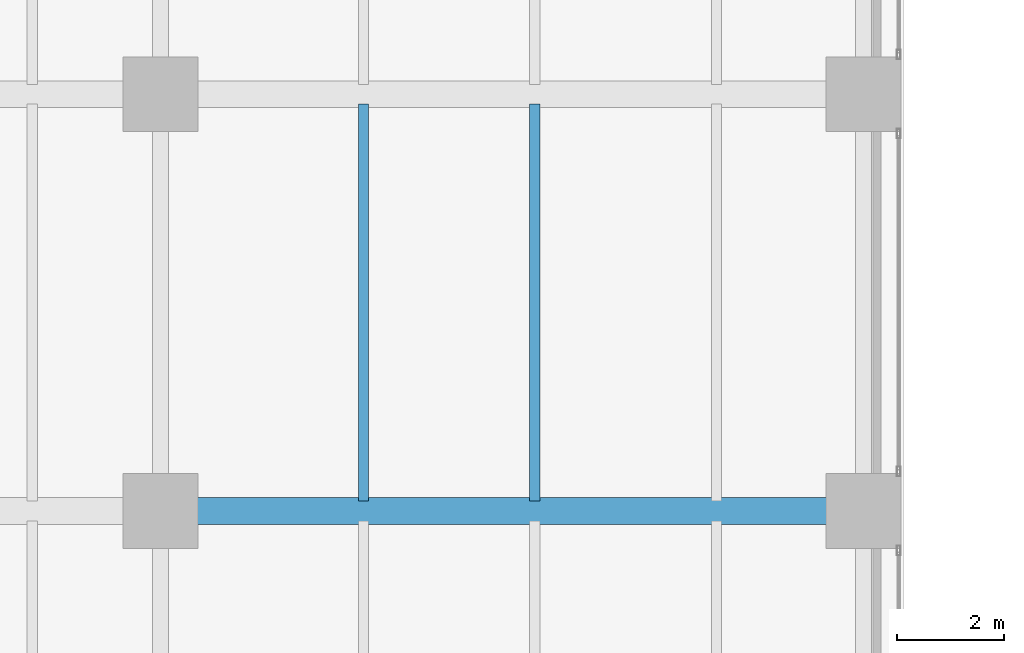
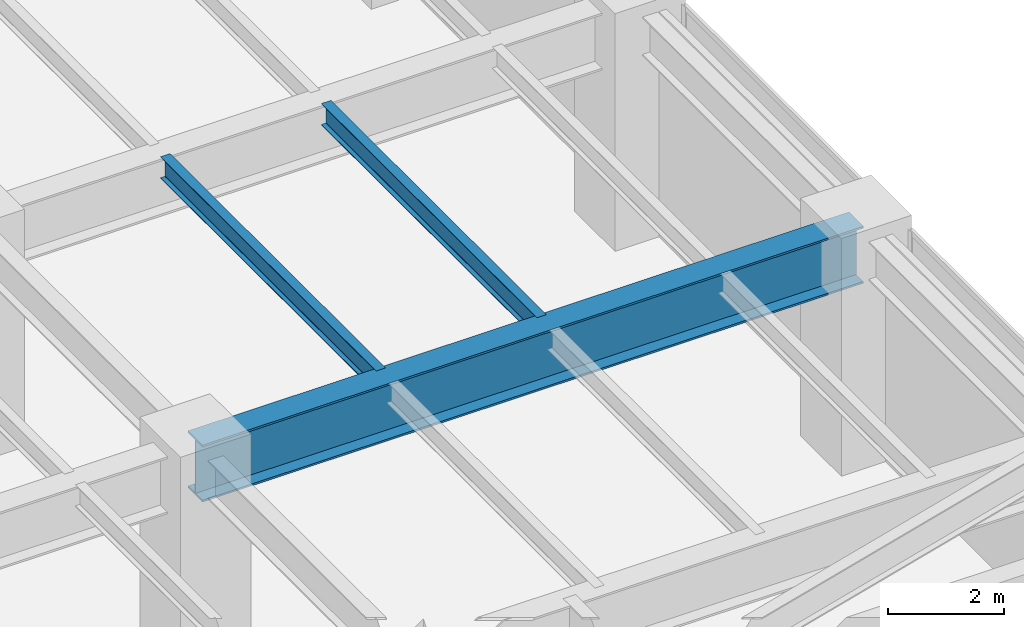
# One storey, part 3 of 24: 3 beams.
"""IFC4 building model written with IfcOpenShell, lengths in metres."""

from ifc_helpers import new_model, si_unit, direction, frame, origin, origin_2d, place, context, subcontext, project, spatial, i_section, extrude, source, transform, mapped, material, material_profile, profile_set, type_object, type_shapes, element, save


model = new_model("IFC4")

# Units and contexts
model_context = context("Model", 3, precision=1e-05, world=origin(), true_north=direction((0.0, 1.0)))
body_context = subcontext(model_context, "Body", "Model", "MODEL_VIEW")
ifc_project = project(units=[si_unit("LENGTHUNIT", "METRE"), si_unit("AREAUNIT", "SQUARE_METRE"), si_unit("VOLUMEUNIT", "CUBIC_METRE"), si_unit("PLANEANGLEUNIT", "RADIAN"), si_unit("MASSUNIT", "GRAM", prefix="KILO")], contexts=[model_context])

# Site, building, storey
site_placement = place(None, origin())
site = spatial("IfcSite", under=ifc_project, at=site_placement, CompositionType="ELEMENT")
building_placement = place(site_placement, origin())
building = spatial("IfcBuilding", under=site, at=building_placement, Name="Tolvann Quenvar Hotel", CompositionType="ELEMENT")
storey_placement = place(building_placement, frame((0.0, 0.0, 6.0)))
storey = spatial("IfcBuildingStorey", under=building, at=storey_placement, Name="L01", CompositionType="ELEMENT", Elevation=6.0)

# Beams
ifc_material = material(Name="Steel Grade 350", Category="steel")
ifc_material_profile_1 = material_profile(ifc_material, i_section(OverallWidth=0.5, OverallDepth=1.199951171875, WebThickness=0.01611328125, FlangeThickness=0.0400390625, at=origin_2d()), Name="1200WB455")
ifc_profile_set_1 = profile_set([ifc_material_profile_1], Name="Steel Grade 350")
beam_type_1 = type_object("IfcBeamType", Name="BM_TG_1200WB455", PredefinedType="USERDEFINED", material=ifc_profile_set_1)
shared_shape_1 = source(origin(), body_context, "Body", "SweptSolid", [
    extrude(i_section(OverallWidth=0.5, OverallDepth=1.199951171875, WebThickness=0.01611328125, FlangeThickness=0.0400390625, at=origin_2d()), origin(), (0.0, 0.0, 1.0), 13.14990234375),
])
type_shapes(beam_type_1, [shared_shape_1])
beam_placement = place(storey_placement, frame((5.60009765625, 8.199951171875, 4.139892578125), z_axis=(1.0, 0.0, 0.0), x_axis=(0.0, 1.0, 0.0)))
element("IfcBeam", 1, at=beam_placement, inside=storey, type_object=beam_type_1, Name="BM-L01-GW2-2", ObjectType="TRANSFER GIRDER", PredefinedType="USERDEFINED", context=body_context, shape_type="MappedRepresentation", body=[
    mapped(shared_shape_1, transform((0.0, 0.0, 0.0), x_axis=(1.0, 0.0, 0.0), y_axis=(0.0, 1.0, 0.0), z_axis=(0.0, 0.0, 1.0), scale=1.0)),
])
ifc_material_profile_2 = material_profile(ifc_material, i_section(OverallWidth=0.18994140625, OverallDepth=0.4541015625, WebThickness=0.008544921875, FlangeThickness=0.0126953125, FilletRadius=0.011474609375, at=origin_2d()), Name="460UB67")
ifc_profile_set_2 = profile_set([ifc_material_profile_2], Name="Steel Grade 350")
beam_type_2 = type_object("IfcBeamType", Name="BM_JOIST_460UB67", PredefinedType="JOIST", material=ifc_profile_set_2)
shared_shape_2 = source(origin(), body_context, "Body", "SweptSolid", [
    extrude(i_section(OverallWidth=0.18994140625, OverallDepth=0.4541015625, WebThickness=0.008544921875, FlangeThickness=0.0126953125, FilletRadius=0.011474609375, at=origin_2d()), origin(), (0.0, 0.0, 1.0), 7.429931640625),
])
type_shapes(beam_type_2, [shared_shape_2])
for number, where, z_axis, x_axis, name in (
    (2, (9.39990234375, 8.385009765625, 4.512939453125), (0.0, 1.0, 0.0), (-1.0, 0.0, 0.0), "BJ-L01-94-82"),
    (3, (12.60009765625, 8.385009765625, 4.512939453125), (0.0, 1.0, 0.0), (-1.0, 0.0, 0.0), "BJ-L01-126-82"),
):
    element("IfcBeam", number, at=place(storey_placement, frame(where, z_axis=z_axis, x_axis=x_axis)), inside=storey, type_object=beam_type_2, Name=name, PredefinedType="JOIST", context=body_context, shape_type="MappedRepresentation", body=[
        mapped(shared_shape_2, transform((0.0, 0.0, 0.0), x_axis=(1.0, 0.0, 0.0), y_axis=(0.0, 1.0, 0.0), z_axis=(0.0, 0.0, 1.0), scale=1.0)),
    ])

save(model, "model.ifc")
